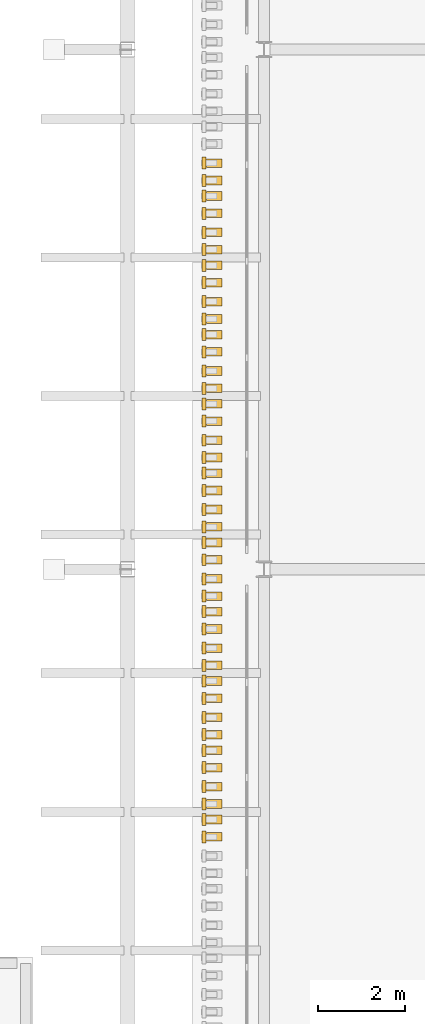
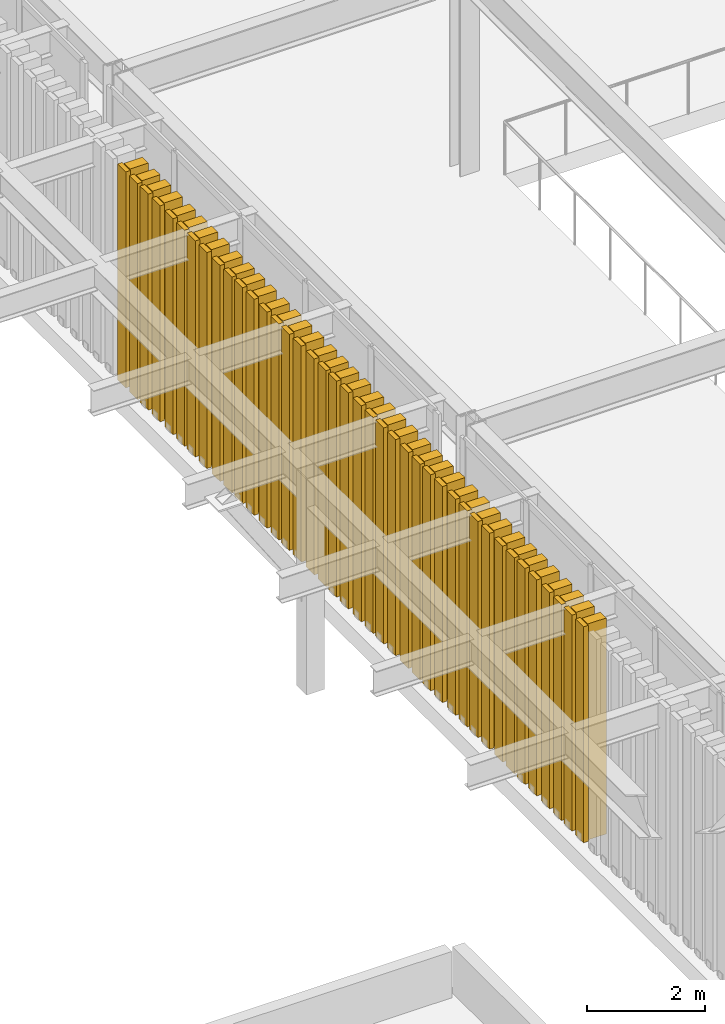
# One storey, part 121 of 126: 40 coverings, 40 shading devices.
"""IFC4 building model written with IfcOpenShell, lengths in metres."""

from ifc_helpers import new_model, si_unit, derived_unit, direction, frame, origin, origin_2d, place, context, subcontext, project, spatial, rectangle, extrude, material, layer, layer_set, material_profile, profile_set, type_object, element, save


model = new_model("IFC4")

# Units and contexts
model_context = context("Model", 3, precision=1e-05, world=origin(), true_north=direction((0.0, 1.0)))
body_context = subcontext(model_context, "Body", "Model", "MODEL_VIEW")
ifc_project = project(units=[si_unit("LENGTHUNIT", "METRE"), si_unit("AREAUNIT", "SQUARE_METRE"), si_unit("VOLUMEUNIT", "CUBIC_METRE"), si_unit("PLANEANGLEUNIT", "RADIAN"), si_unit("MASSUNIT", "GRAM", prefix="KILO"), derived_unit("THERMALTRANSMITTANCEUNIT", [(si_unit("MASSUNIT", "GRAM", prefix="KILO"), 1), (si_unit("TIMEUNIT", "SECOND"), -3), (si_unit("THERMODYNAMICTEMPERATUREUNIT", "KELVIN"), -1)])], contexts=[model_context])

# Site, building, storey
site_placement = place(None, origin())
site = spatial("IfcSite", under=ifc_project, at=site_placement, CompositionType="ELEMENT")
building_placement = place(site_placement, origin())
building = spatial("IfcBuilding", under=site, at=building_placement, Name="Valcora Ridge Arena", CompositionType="ELEMENT")
storey_placement = place(building_placement, frame((0.0, 0.0, 11.39990234375)))
storey = spatial("IfcBuildingStorey", under=building, at=storey_placement, Name="L02", CompositionType="ELEMENT", Elevation=11.39990234375)

# Coverings
ifc_material = material(Name="Anodised terracotta-bronze aluminium lancet batten 6063-T6", Category="masonry")
ifc_layer = layer(ifc_material, 0.199951171875, Name="Anodised terracotta-bronze aluminium lancet batten 6063-T6")
ifc_layer_set = layer_set([ifc_layer], Name="Anodised terracotta-bronze aluminium lancet batten 6063-T6")
covering_type = type_object("IfcCoveringType", Name="TY-COVERING-BAT-LANCET-448", PredefinedType="CLADDING", material=ifc_layer_set)
for number, where, z_axis, x_axis, name in (
    (1, (136.050048828125, 47.820068359375, 0.0), (0.0, 0.0, 1.0), (1.0, 0.0, 0.0), "BAT-LANCET-448 COV-BT-0213"),
    (2, (136.050048828125, 48.219970703125, 0.0), (0.0, 0.0, 1.0), (1.0, 0.0, 0.0), "BAT-LANCET-448 COV-BT-0215"),
    (3, (136.050048828125, 48.580078125, 0.0), (0.0, 0.0, 1.0), (1.0, 0.0, 0.0), "BAT-LANCET-448 COV-BT-0217"),
    (4, (136.050048828125, 48.97998046875, 0.0), (0.0, 0.0, 1.0), (1.0, 0.0, 0.0), "BAT-LANCET-448 COV-BT-0219"),
    (5, (136.050048828125, 49.419921875, 0.0), (0.0, 0.0, 1.0), (1.0, 0.0, 0.0), "BAT-LANCET-448 COV-BT-0221"),
    (6, (136.050048828125, 49.820068359375, 0.0), (0.0, 0.0, 1.0), (1.0, 0.0, 0.0), "BAT-LANCET-448 COV-BT-0223"),
    (7, (136.050048828125, 50.179931640625, 0.0), (0.0, 0.0, 1.0), (1.0, 0.0, 0.0), "BAT-LANCET-448 COV-BT-0225"),
    (8, (136.050048828125, 50.580078125, 0.0), (0.0, 0.0, 1.0), (1.0, 0.0, 0.0), "BAT-LANCET-448 COV-BT-0227"),
    (9, (136.050048828125, 51.02001953125, 0.0), (0.0, 0.0, 1.0), (1.0, 0.0, 0.0), "BAT-LANCET-448 COV-BT-0229"),
    (10, (136.050048828125, 51.419921875, 0.0), (0.0, 0.0, 1.0), (1.0, 0.0, 0.0), "BAT-LANCET-448 COV-BT-0231"),
    (11, (136.050048828125, 51.780029296875, 0.0), (0.0, 0.0, 1.0), (1.0, 0.0, 0.0), "BAT-LANCET-448 COV-BT-0233"),
    (12, (136.050048828125, 52.179931640625, 0.0), (0.0, 0.0, 1.0), (1.0, 0.0, 0.0), "BAT-LANCET-448 COV-BT-0235"),
    (13, (136.050048828125, 52.6201171875, 0.0), (0.0, 0.0, 1.0), (1.0, 0.0, 0.0), "BAT-LANCET-448 COV-BT-0237"),
    (14, (136.050048828125, 53.02001953125, 0.0), (0.0, 0.0, 1.0), (1.0, 0.0, 0.0), "BAT-LANCET-448 COV-BT-0239"),
    (15, (136.050048828125, 53.3798828125, 0.0), (0.0, 0.0, 1.0), (1.0, 0.0, 0.0), "BAT-LANCET-448 COV-BT-0241"),
    (16, (136.050048828125, 53.780029296875, 0.0), (0.0, 0.0, 1.0), (1.0, 0.0, 0.0), "BAT-LANCET-448 COV-BT-0243"),
    (17, (136.050048828125, 54.219970703125, 0.0), (0.0, 0.0, 1.0), (1.0, 0.0, 0.0), "BAT-LANCET-448 COV-BT-0245"),
    (18, (136.050048828125, 54.6201171875, 0.0), (0.0, 0.0, 1.0), (1.0, 0.0, 0.0), "BAT-LANCET-448 COV-BT-0247"),
    (19, (136.050048828125, 54.97998046875, 0.0), (0.0, 0.0, 1.0), (1.0, 0.0, 0.0), "BAT-LANCET-448 COV-BT-0249"),
    (20, (136.050048828125, 55.3798828125, 0.0), (0.0, 0.0, 1.0), (1.0, 0.0, 0.0), "BAT-LANCET-448 COV-BT-0251"),
    (21, (136.050048828125, 55.820068359375, 0.0), (0.0, 0.0, 1.0), (1.0, 0.0, 0.0), "BAT-LANCET-448 COV-BT-0253"),
    (22, (136.050048828125, 56.219970703125, 0.0), (0.0, 0.0, 1.0), (1.0, 0.0, 0.0), "BAT-LANCET-448 COV-BT-0255"),
    (23, (136.050048828125, 56.580078125, 0.0), (0.0, 0.0, 1.0), (1.0, 0.0, 0.0), "BAT-LANCET-448 COV-BT-0257"),
    (24, (136.050048828125, 56.97998046875, 0.0), (0.0, 0.0, 1.0), (1.0, 0.0, 0.0), "BAT-LANCET-448 COV-BT-0259"),
    (25, (136.050048828125, 57.419921875, 0.0), (0.0, 0.0, 1.0), (1.0, 0.0, 0.0), "BAT-LANCET-448 COV-BT-0261"),
    (26, (136.050048828125, 57.820068359375, 0.0), (0.0, 0.0, 1.0), (1.0, 0.0, 0.0), "BAT-LANCET-448 COV-BT-0263"),
    (27, (136.050048828125, 58.179931640625, 0.0), (0.0, 0.0, 1.0), (1.0, 0.0, 0.0), "BAT-LANCET-448 COV-BT-0265"),
    (28, (136.050048828125, 58.580078125, 0.0), (0.0, 0.0, 1.0), (1.0, 0.0, 0.0), "BAT-LANCET-448 COV-BT-0267"),
    (29, (136.050048828125, 59.02001953125, 0.0), (0.0, 0.0, 1.0), (1.0, 0.0, 0.0), "BAT-LANCET-448 COV-BT-0269"),
    (30, (136.050048828125, 59.419921875, 0.0), (0.0, 0.0, 1.0), (1.0, 0.0, 0.0), "BAT-LANCET-448 COV-BT-0271"),
    (31, (136.050048828125, 59.780029296875, 0.0), (0.0, 0.0, 1.0), (1.0, 0.0, 0.0), "BAT-LANCET-448 COV-BT-0273"),
    (32, (136.050048828125, 60.179931640625, 0.0), (0.0, 0.0, 1.0), (1.0, 0.0, 0.0), "BAT-LANCET-448 COV-BT-0275"),
    (33, (136.050048828125, 60.6201171875, 0.0), (0.0, 0.0, 1.0), (1.0, 0.0, 0.0), "BAT-LANCET-448 COV-BT-0277"),
    (34, (136.050048828125, 61.02001953125, 0.0), (0.0, 0.0, 1.0), (1.0, 0.0, 0.0), "BAT-LANCET-448 COV-BT-0279"),
    (35, (136.050048828125, 61.3798828125, 0.0), (0.0, 0.0, 1.0), (1.0, 0.0, 0.0), "BAT-LANCET-448 COV-BT-0281"),
    (36, (136.050048828125, 61.780029296875, 0.0), (0.0, 0.0, 1.0), (1.0, 0.0, 0.0), "BAT-LANCET-448 COV-BT-0283"),
    (37, (136.050048828125, 62.219970703125, 0.0), (0.0, 0.0, 1.0), (1.0, 0.0, 0.0), "BAT-LANCET-448 COV-BT-0285"),
    (38, (136.050048828125, 62.6201171875, 0.0), (0.0, 0.0, 1.0), (1.0, 0.0, 0.0), "BAT-LANCET-448 COV-BT-0287"),
    (39, (136.050048828125, 62.97998046875, 0.0), (0.0, 0.0, 1.0), (1.0, 0.0, 0.0), "BAT-LANCET-448 COV-BT-0289"),
    (40, (136.050048828125, 63.3798828125, 0.0), (0.0, 0.0, 1.0), (1.0, 0.0, 0.0), "BAT-LANCET-448 COV-BT-0291"),
):
    element("IfcCovering", number, at=place(storey_placement, frame(where, z_axis=z_axis, x_axis=x_axis)), inside=storey, type_object=covering_type, Name=name, PredefinedType="CLADDING", context=body_context, shape_type="SweptSolid", body=[
        extrude(rectangle(XDim=0.360107421875, YDim=0.199951171875, at=origin_2d()), origin(), (0.0, 0.0, 1.0), 4.47998046875),
    ])

# Shading devices
ifc_material_profile = material_profile(ifc_material, rectangle(XDim=0.090087890625, YDim=0.27587890625, at=origin_2d()), Name="ALU LANCET BATTEN 90x276")
ifc_profile_set = profile_set([ifc_material_profile], Name="Anodised terracotta-bronze aluminium lancet batten 6063-T6")
shading_device_type = type_object("IfcShadingDeviceType", Name="TY-SHADINGDEVICE-FIN-LANCET-448", PredefinedType="JALOUSIE", material=ifc_profile_set)
for number, where, z_axis, x_axis, name in (
    (41, (135.81005859375, 47.820068359375, 0.0), (0.0, 0.0, 1.0), (1.0, 0.0, 0.0), "FIN-LANCET-448 SHD-FN-0213"),
    (42, (135.81005859375, 48.219970703125, 0.0), (0.0, 0.0, 1.0), (1.0, 0.0, 0.0), "FIN-LANCET-448 SHD-FN-0215"),
    (43, (135.81005859375, 48.580078125, 0.0), (0.0, 0.0, 1.0), (1.0, 0.0, 0.0), "FIN-LANCET-448 SHD-FN-0217"),
    (44, (135.81005859375, 48.97998046875, 0.0), (0.0, 0.0, 1.0), (1.0, 0.0, 0.0), "FIN-LANCET-448 SHD-FN-0219"),
    (45, (135.81005859375, 49.419921875, 0.0), (0.0, 0.0, 1.0), (1.0, 0.0, 0.0), "FIN-LANCET-448 SHD-FN-0221"),
    (46, (135.81005859375, 49.820068359375, 0.0), (0.0, 0.0, 1.0), (1.0, 0.0, 0.0), "FIN-LANCET-448 SHD-FN-0223"),
    (47, (135.81005859375, 50.179931640625, 0.0), (0.0, 0.0, 1.0), (1.0, 0.0, 0.0), "FIN-LANCET-448 SHD-FN-0225"),
    (48, (135.81005859375, 50.580078125, 0.0), (0.0, 0.0, 1.0), (1.0, 0.0, 0.0), "FIN-LANCET-448 SHD-FN-0227"),
    (49, (135.81005859375, 51.02001953125, 0.0), (0.0, 0.0, 1.0), (1.0, 0.0, 0.0), "FIN-LANCET-448 SHD-FN-0229"),
    (50, (135.81005859375, 51.419921875, 0.0), (0.0, 0.0, 1.0), (1.0, 0.0, 0.0), "FIN-LANCET-448 SHD-FN-0231"),
    (51, (135.81005859375, 51.780029296875, 0.0), (0.0, 0.0, 1.0), (1.0, 0.0, 0.0), "FIN-LANCET-448 SHD-FN-0233"),
    (52, (135.81005859375, 52.179931640625, 0.0), (0.0, 0.0, 1.0), (1.0, 0.0, 0.0), "FIN-LANCET-448 SHD-FN-0235"),
    (53, (135.81005859375, 52.6201171875, 0.0), (0.0, 0.0, 1.0), (1.0, 0.0, 0.0), "FIN-LANCET-448 SHD-FN-0237"),
    (54, (135.81005859375, 53.02001953125, 0.0), (0.0, 0.0, 1.0), (1.0, 0.0, 0.0), "FIN-LANCET-448 SHD-FN-0239"),
    (55, (135.81005859375, 53.3798828125, 0.0), (0.0, 0.0, 1.0), (1.0, 0.0, 0.0), "FIN-LANCET-448 SHD-FN-0241"),
    (56, (135.81005859375, 53.780029296875, 0.0), (0.0, 0.0, 1.0), (1.0, 0.0, 0.0), "FIN-LANCET-448 SHD-FN-0243"),
    (57, (135.81005859375, 54.219970703125, 0.0), (0.0, 0.0, 1.0), (1.0, 0.0, 0.0), "FIN-LANCET-448 SHD-FN-0245"),
    (58, (135.81005859375, 54.6201171875, 0.0), (0.0, 0.0, 1.0), (1.0, 0.0, 0.0), "FIN-LANCET-448 SHD-FN-0247"),
    (59, (135.81005859375, 54.97998046875, 0.0), (0.0, 0.0, 1.0), (1.0, 0.0, 0.0), "FIN-LANCET-448 SHD-FN-0249"),
    (60, (135.81005859375, 55.3798828125, 0.0), (0.0, 0.0, 1.0), (1.0, 0.0, 0.0), "FIN-LANCET-448 SHD-FN-0251"),
    (61, (135.81005859375, 55.820068359375, 0.0), (0.0, 0.0, 1.0), (1.0, 0.0, 0.0), "FIN-LANCET-448 SHD-FN-0253"),
    (62, (135.81005859375, 56.219970703125, 0.0), (0.0, 0.0, 1.0), (1.0, 0.0, 0.0), "FIN-LANCET-448 SHD-FN-0255"),
    (63, (135.81005859375, 56.580078125, 0.0), (0.0, 0.0, 1.0), (1.0, 0.0, 0.0), "FIN-LANCET-448 SHD-FN-0257"),
    (64, (135.81005859375, 56.97998046875, 0.0), (0.0, 0.0, 1.0), (1.0, 0.0, 0.0), "FIN-LANCET-448 SHD-FN-0259"),
    (65, (135.81005859375, 57.419921875, 0.0), (0.0, 0.0, 1.0), (1.0, 0.0, 0.0), "FIN-LANCET-448 SHD-FN-0261"),
    (66, (135.81005859375, 57.820068359375, 0.0), (0.0, 0.0, 1.0), (1.0, 0.0, 0.0), "FIN-LANCET-448 SHD-FN-0263"),
    (67, (135.81005859375, 58.179931640625, 0.0), (0.0, 0.0, 1.0), (1.0, 0.0, 0.0), "FIN-LANCET-448 SHD-FN-0265"),
    (68, (135.81005859375, 58.580078125, 0.0), (0.0, 0.0, 1.0), (1.0, 0.0, 0.0), "FIN-LANCET-448 SHD-FN-0267"),
    (69, (135.81005859375, 59.02001953125, 0.0), (0.0, 0.0, 1.0), (1.0, 0.0, 0.0), "FIN-LANCET-448 SHD-FN-0269"),
    (70, (135.81005859375, 59.419921875, 0.0), (0.0, 0.0, 1.0), (1.0, 0.0, 0.0), "FIN-LANCET-448 SHD-FN-0271"),
    (71, (135.81005859375, 59.780029296875, 0.0), (0.0, 0.0, 1.0), (1.0, 0.0, 0.0), "FIN-LANCET-448 SHD-FN-0273"),
    (72, (135.81005859375, 60.179931640625, 0.0), (0.0, 0.0, 1.0), (1.0, 0.0, 0.0), "FIN-LANCET-448 SHD-FN-0275"),
    (73, (135.81005859375, 60.6201171875, 0.0), (0.0, 0.0, 1.0), (1.0, 0.0, 0.0), "FIN-LANCET-448 SHD-FN-0277"),
    (74, (135.81005859375, 61.02001953125, 0.0), (0.0, 0.0, 1.0), (1.0, 0.0, 0.0), "FIN-LANCET-448 SHD-FN-0279"),
    (75, (135.81005859375, 61.3798828125, 0.0), (0.0, 0.0, 1.0), (1.0, 0.0, 0.0), "FIN-LANCET-448 SHD-FN-0281"),
    (76, (135.81005859375, 61.780029296875, 0.0), (0.0, 0.0, 1.0), (1.0, 0.0, 0.0), "FIN-LANCET-448 SHD-FN-0283"),
    (77, (135.81005859375, 62.219970703125, 0.0), (0.0, 0.0, 1.0), (1.0, 0.0, 0.0), "FIN-LANCET-448 SHD-FN-0285"),
    (78, (135.81005859375, 62.6201171875, 0.0), (0.0, 0.0, 1.0), (1.0, 0.0, 0.0), "FIN-LANCET-448 SHD-FN-0287"),
    (79, (135.81005859375, 62.97998046875, 0.0), (0.0, 0.0, 1.0), (1.0, 0.0, 0.0), "FIN-LANCET-448 SHD-FN-0289"),
    (80, (135.81005859375, 63.3798828125, 0.0), (0.0, 0.0, 1.0), (1.0, 0.0, 0.0), "FIN-LANCET-448 SHD-FN-0291"),
):
    element("IfcShadingDevice", number, at=place(storey_placement, frame(where, z_axis=z_axis, x_axis=x_axis)), inside=storey, type_object=shading_device_type, Name=name, PredefinedType="JALOUSIE", context=body_context, shape_type="SweptSolid", body=[
        extrude(rectangle(XDim=0.090087890625, YDim=0.27587890625, at=origin_2d()), origin(), (0.0, 0.0, 1.0), 4.47998046875),
    ])

save(model, "model.ifc")
